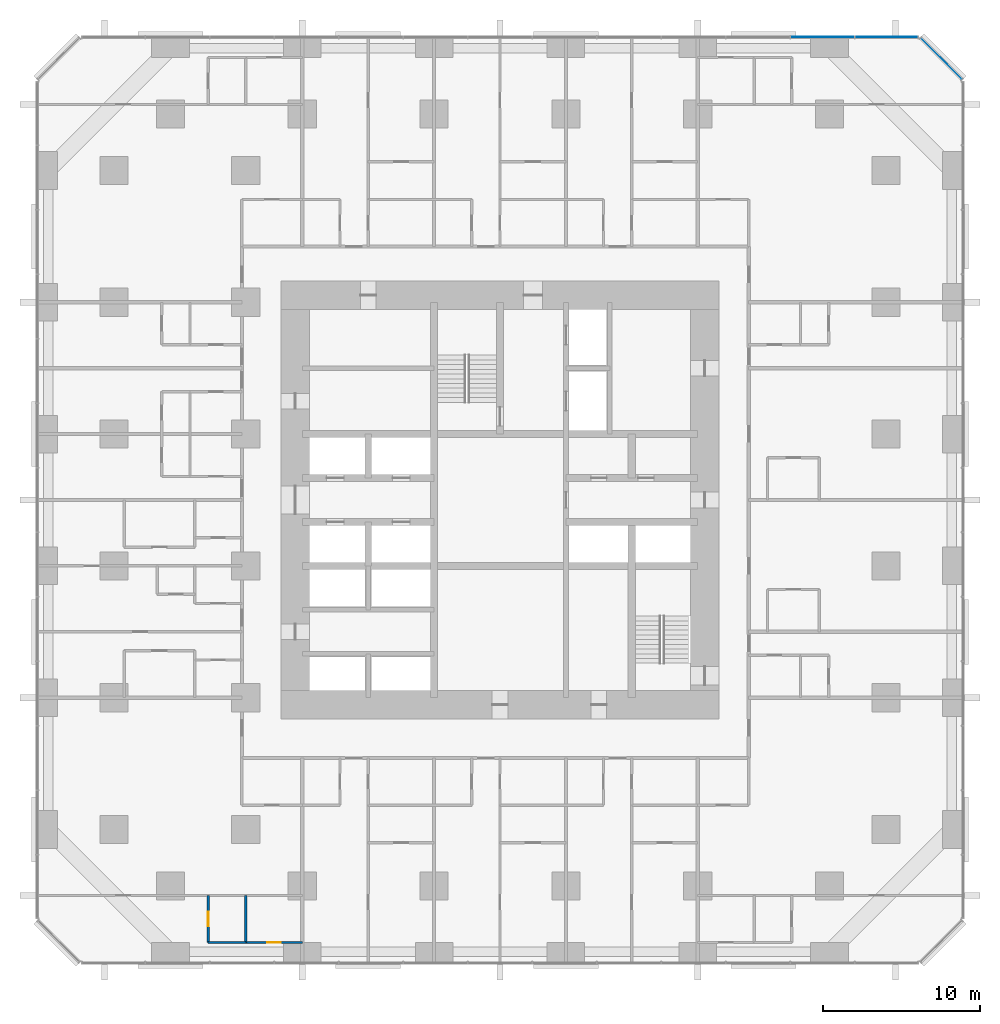
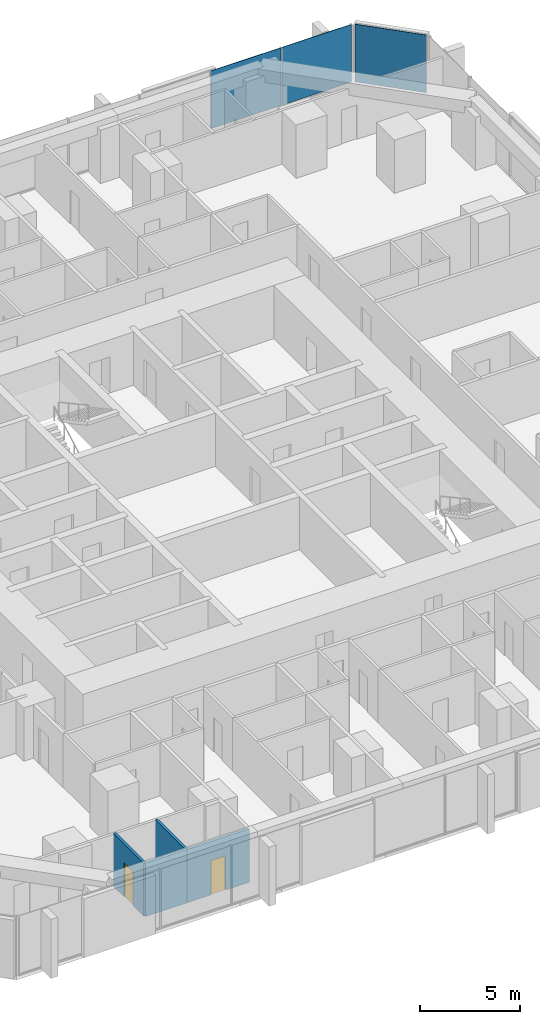
# One storey, part 10 of 17: 4 walls, 3 plates, 2 doors, 2 openings, 2 elements without a shape of their own.
"""IFC4 building model written with IfcOpenShell, lengths in metres."""

from ifc_helpers import new_model, si_unit, direction, frame, frame_2d, origin, origin_2d, place, context, subcontext, project, spatial, rectangle, extrude, material, layer, layer_set, type_object, element, fill, aggregate, save


model = new_model("IFC4")

# Units and contexts
model_context = context("Model", 3, precision=1e-05, world=origin(), true_north=direction((0.0, 1.0)))
body_context = subcontext(model_context, "Body", "Model", "MODEL_VIEW")
ifc_project = project(units=[si_unit("LENGTHUNIT", "METRE"), si_unit("AREAUNIT", "SQUARE_METRE"), si_unit("VOLUMEUNIT", "CUBIC_METRE"), si_unit("PLANEANGLEUNIT", "RADIAN"), si_unit("MASSUNIT", "GRAM", prefix="KILO")], contexts=[model_context])

# Site, building, storey
site_placement = place(None, origin())
site = spatial("IfcSite", under=ifc_project, at=site_placement, CompositionType="ELEMENT")
building_placement = place(site_placement, origin())
building = spatial("IfcBuilding", under=site, at=building_placement, Name="Dunama Terrace Hotel", CompositionType="ELEMENT")
storey_placement = place(building_placement, frame((0.0, 0.0, 48.60009765625)))
storey = spatial("IfcBuildingStorey", under=building, at=storey_placement, Name="L11", CompositionType="ELEMENT", Elevation=48.60009765625)

# Curtain wall, plates
ifc_material_1 = material(Name="Aluminium curtain wall system", Category="aluminium")
curtain_wall_type = type_object("IfcCurtainWallType", Name="Unitised fritted glass wall CW-A", PredefinedType="NOTDEFINED", material=ifc_material_1)
curtain_wall_1_placement = place(storey_placement, origin())
curtain_wall_1 = element("IfcCurtainWall", 1, at=curtain_wall_1_placement, inside=storey, type_object=curtain_wall_type, Name="Unitised fritted glass wall CW-A L11", PredefinedType="NOTDEFINED")
ifc_material_2 = material(Name="Laminated glass", Category="glass")
ifc_layer_1 = layer(ifc_material_2, 0.030029296875)
ifc_layer_set_1 = layer_set([ifc_layer_1], Name="CWA clear glass panel")
plate_type_1 = type_object("IfcPlateType", Name="CWA clear glass panel", PredefinedType="CURTAIN_PANEL", material=ifc_layer_set_1)
plate_1_placement = place(storey_placement, frame((49.93798828125, 58.89990234375, 0.074951171875), z_axis=(0.0, 0.0, 1.0), x_axis=(-1.0, 0.0, 0.0)))
plate_1 = element("IfcPlate", 2, at=plate_1_placement, type_object=plate_type_1, Name="CWA clear glass panel", PredefinedType="CURTAIN_PANEL", context=body_context, shape_type="SweptSolid", body=[
    extrude(rectangle(XDim=4.042724609375, YDim=0.030029296875, at=origin_2d()), origin(), (0.0, 0.0, 1.0), 3.52490234375),
])
ifc_material_3 = material(Name="Fritted laminated glass", Category="glass")
ifc_layer_2 = layer(ifc_material_3, 0.030029296875)
ifc_layer_set_2 = layer_set([ifc_layer_2], Name="CWA fritted glass panel")
plate_type_2 = type_object("IfcPlateType", Name="CWA fritted glass panel", PredefinedType="CURTAIN_PANEL", material=ifc_layer_set_2)
plate_2_placement = place(storey_placement, frame((54.030029296875, 58.89990234375, 0.074951171875), z_axis=(0.0, 0.0, 1.0), x_axis=(-1.0, 0.0, 0.0)))
plate_2 = element("IfcPlate", 3, at=plate_2_placement, type_object=plate_type_2, Name="CWA fritted glass panel", PredefinedType="CURTAIN_PANEL", context=body_context, shape_type="SweptSolid", body=[
    extrude(rectangle(XDim=4.01025390625, YDim=0.030029296875, at=origin_2d()), origin(), (0.0, 0.0, 1.0), 3.52490234375),
])
aggregate(curtain_wall_1, [plate_2, plate_1])

# Curtain wall, plate
curtain_wall_2_placement = place(storey_placement, origin())
curtain_wall_2 = element("IfcCurtainWall", 4, at=curtain_wall_2_placement, inside=storey, type_object=curtain_wall_type, Name="Unitised fritted glass wall CW-A L11", PredefinedType="NOTDEFINED")
ifc_material_4 = material(Name="Laminated glass", Category="glass")
ifc_layer_3 = layer(ifc_material_4, 0.030029296875)
ifc_layer_set_3 = layer_set([ifc_layer_3], Name="CWA operable glass panel")
plate_type_3 = type_object("IfcPlateType", Name="CWA operable glass panel", PredefinedType="CURTAIN_PANEL", material=ifc_layer_set_3)
plate_3_placement = place(storey_placement, frame((57.52099609375, 57.52099609375, 0.074951171875), z_axis=(0.0, 0.0, 1.0), x_axis=(-0.707106781187, 0.707106781187, 0.0)))
plate_3 = element("IfcPlate", 5, at=plate_3_placement, type_object=plate_type_3, Name="CWA operable glass panel", PredefinedType="CURTAIN_PANEL", context=body_context, shape_type="SweptSolid", body=[
    extrude(rectangle(XDim=3.6884765625, YDim=0.030029296875, at=origin_2d()), origin(), (0.0, 0.0, 1.0), 3.52490234375),
])
aggregate(curtain_wall_2, [plate_3])

# Wall, opening, door
ifc_material_5 = material(Name="Gypsum board partition", Category="masonry")
ifc_layer_4 = layer(ifc_material_5, 0.14990234375)
ifc_layer_set_4 = layer_set([ifc_layer_4], Name="Bathroom partition 150")
wall_type_1 = type_object("IfcWallType", Name="Bathroom partition 150", PredefinedType="PARTITIONING", material=ifc_layer_set_4)
wall_1_placement = place(storey_placement, frame((13.199951171875, 1.199951171875, 0.0), z_axis=(0.0, 0.0, 1.0), x_axis=(1.0, 0.0, 0.0)))
wall_1 = element("IfcWall", 6, at=wall_1_placement, inside=storey, type_object=wall_type_1, Name="Bathroom partition 150 L11", PredefinedType="PARTITIONING", context=body_context, shape_type="SweptSolid", body=[
    extrude(rectangle(XDim=3.60009765625, YDim=0.14990234375, at=frame_2d((1.800048828125, 0.0))), origin(), (0.0, 0.0, 1.0), 3.25),
])
opening_1_placement = place(wall_1_placement, frame((1.375, 0.0, 0.0)))
opening_1 = element("IfcOpeningElement", 7, at=opening_1_placement, cuts=wall_1, Name="Opening L10-11-070", PredefinedType="OPENING", context=body_context, shape_type="SweptSolid", body=[
    extrude(rectangle(XDim=0.85009765625, YDim=2.10009765625, at=frame_2d((0.425048828125, 1.050048828125))), frame((0.0, 0.0849609375, 0.0), z_axis=(0.0, -1.0, 0.0), x_axis=(1.0, 0.0, 0.0)), (0.0, 0.0, 1.0), 0.169921875),
])
ifc_material_6 = material(Name="Timber door with steel frame", Category="steel")
door_type_1 = type_object("IfcDoorType", Name="Bathroom door 850", OperationType="SINGLE_SWING_LEFT", PredefinedType="DOOR", material=ifc_material_6)
door_1_placement = place(opening_1_placement, origin())
door_1 = element("IfcDoor", 8, at=door_1_placement, inside=storey, type_object=door_type_1, Name="Door to en-suite bathroom L10-11-070, type D2", OperationType="SINGLE_SWING_RIGHT", OverallHeight=2.10009765625, OverallWidth=0.85009765625, PredefinedType="DOOR", context=body_context, shape_type="SweptSolid", body=[
    extrude(rectangle(XDim=0.85009765625, YDim=2.10009765625, at=frame_2d((0.425048828125, 1.050048828125))), frame((0.0, 0.02490234375, 0.0), z_axis=(0.0, -1.0, 0.0), x_axis=(1.0, 0.0, 0.0)), (0.0, 0.0, 1.0), 0.050048828125),
])
fill(opening_1, door_1)

ifc_material_7 = material(Name="Gypsum board partition", Category="masonry")
ifc_layer_5 = layer(ifc_material_7, 0.14990234375)
ifc_layer_set_5 = layer_set([ifc_layer_5], Name="Room partition 150")
wall_type_2 = type_object("IfcWallType", Name="Room partition 150", PredefinedType="PARTITIONING", material=ifc_layer_set_5)
wall_2_placement = place(storey_placement, frame((10.800048828125, 1.199951171875, 0.0), z_axis=(0.0, 0.0, 1.0), x_axis=(0.0, 1.0, 0.0)))
wall_2 = element("IfcWall", 9, at=wall_2_placement, inside=storey, type_object=wall_type_2, Name="Room partition 150 L11", PredefinedType="PARTITIONING", context=body_context, shape_type="SweptSolid", body=[
    extrude(rectangle(XDim=3.0, YDim=0.14990234375, at=frame_2d((1.5, 0.0))), origin(), (0.0, 0.0, 1.0), 3.25),
])
opening_2_placement = place(wall_2_placement, frame((1.050048828125, 0.0, 0.0)))
opening_2 = element("IfcOpeningElement", 10, at=opening_2_placement, cuts=wall_2, Name="Opening L10-11-071", PredefinedType="OPENING", context=body_context, shape_type="SweptSolid", body=[
    extrude(rectangle(XDim=0.89990234375, YDim=2.10009765625, at=frame_2d((0.449951171875, 1.050048828125))), frame((0.0, 0.0849609375, 0.0), z_axis=(0.0, -1.0, 0.0), x_axis=(1.0, 0.0, 0.0)), (0.0, 0.0, 1.0), 0.169921875),
])
ifc_material_8 = material(Name="Timber door with steel frame", Category="steel")
door_type_2 = type_object("IfcDoorType", Name="Suite internal door 900", OperationType="SINGLE_SWING_LEFT", PredefinedType="DOOR", material=ifc_material_8)
door_2_placement = place(opening_2_placement, frame((0.89990234375, 0.0, 0.0), z_axis=(0.0, 0.0, 1.0), x_axis=(-1.0, 0.0, 0.0)))
door_2 = element("IfcDoor", 11, at=door_2_placement, inside=storey, type_object=door_type_2, Name="Door to dressing room L10-11-071, type D16", OperationType="SINGLE_SWING_RIGHT", OverallHeight=2.10009765625, OverallWidth=0.89990234375, PredefinedType="DOOR", context=body_context, shape_type="SweptSolid", body=[
    extrude(rectangle(XDim=0.89990234375, YDim=2.10009765625, at=frame_2d((0.449951171875, 1.050048828125))), frame((0.0, 0.025146484375, 0.0), z_axis=(0.0, -1.0, 0.0), x_axis=(1.0, 0.0, 0.0)), (0.0, 0.0, 1.0), 0.050048828125),
])
fill(opening_2, door_2)

# Walls
wall_3_placement = place(storey_placement, frame((13.199951171875, 1.199951171875, 0.0), z_axis=(0.0, 0.0, 1.0), x_axis=(0.0, 1.0, 0.0)))
element("IfcWall", 12, at=wall_3_placement, inside=storey, type_object=wall_type_2, Name="Room partition 150 L11", PredefinedType="PARTITIONING", context=body_context, shape_type="SweptSolid", body=[
    extrude(rectangle(XDim=3.0, YDim=0.14990234375, at=frame_2d((1.5, 0.0))), origin(), (0.0, 0.0, 1.0), 3.25),
])
wall_4_placement = place(storey_placement, frame((10.800048828125, 1.199951171875, 0.0), z_axis=(0.0, 0.0, 1.0), x_axis=(1.0, 0.0, 0.0)))
element("IfcWall", 13, at=wall_4_placement, inside=storey, type_object=wall_type_2, Name="Room partition 150 L11", PredefinedType="PARTITIONING", context=body_context, shape_type="SweptSolid", body=[
    extrude(rectangle(XDim=2.39990234375, YDim=0.14990234375, at=frame_2d((1.199951171875, 0.0))), origin(), (0.0, 0.0, 1.0), 3.25),
])

save(model, "model.ifc")
